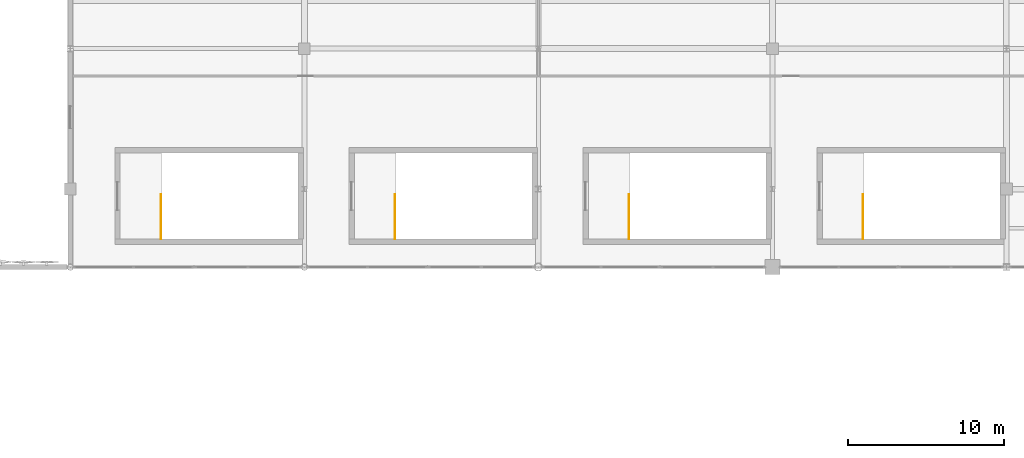
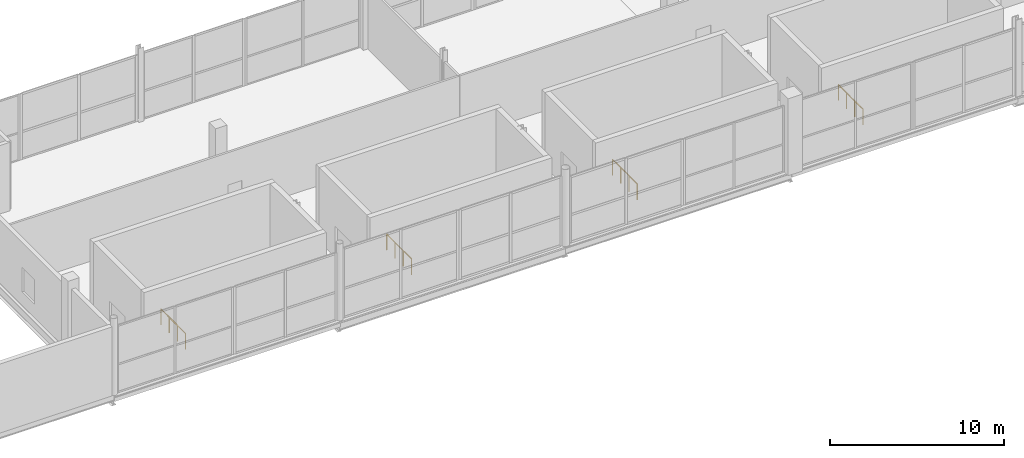
# One storey, part 108 of 119: 4 railings.
"""IFC4 building model written with IfcOpenShell, lengths in metres."""

from ifc_helpers import new_model, si_unit, direction, frame, origin, origin_2d, place, context, subcontext, project, spatial, circle, extrude, material, type_object, element, save


model = new_model("IFC4")

# Units and contexts
model_context = context("Model", 3, precision=1e-05, world=origin(), true_north=direction((0.0, 1.0)))
body_context = subcontext(model_context, "Body", "Model", "MODEL_VIEW")
ifc_project = project(units=[si_unit("LENGTHUNIT", "METRE"), si_unit("AREAUNIT", "SQUARE_METRE"), si_unit("VOLUMEUNIT", "CUBIC_METRE"), si_unit("PLANEANGLEUNIT", "RADIAN"), si_unit("MASSUNIT", "GRAM", prefix="KILO")], contexts=[model_context])

# Site, building, storey
site_placement = place(None, origin())
site = spatial("IfcSite", under=ifc_project, at=site_placement, CompositionType="ELEMENT")
building_placement = place(site_placement, origin())
building = spatial("IfcBuilding", under=site, at=building_placement, Name="Qamarlyn Nura Convention Centre", CompositionType="ELEMENT")
storey_placement = place(building_placement, frame((0.0, 0.0, 5.39990234375)))
storey = spatial("IfcBuildingStorey", under=building, at=storey_placement, Name="L01", CompositionType="ELEMENT", Elevation=5.39990234375)

# Railings
ifc_material = material(Name="Marine Grade 316 stainless steel", Category="steel")
railing_type = type_object("IfcRailingType", Name="GRD-STAIR-112", PredefinedType="BALUSTRADE", material=ifc_material)
for number, where, name in (
    (1, (20.81005859375, 104.800048828125, 0.0), "L01 ST-01 top well guard 1"),
    (2, (35.81005859375, 104.800048828125, 0.0), "L01 ST-02 top well guard 1"),
    (3, (50.81005859375, 104.800048828125, 0.0), "L01 ST-03 top well guard 1"),
    (4, (65.81005859375, 104.800048828125, 0.0), "L01 ST-04 top well guard 1"),
):
    element("IfcRailing", number, at=place(storey_placement, frame(where)), inside=storey, type_object=railing_type, Name=name, PredefinedType="BALUSTRADE", context=body_context, shape_type="SweptSolid", body=[
        extrude(circle(Radius=0.02392578125, at=origin_2d()), frame((0.0, 0.0, 1.09619140625), z_axis=(0.0, 1.0, 0.0), x_axis=(-1.0, 0.0, 0.0)), (0.0, 0.0, 1.0), 2.83984375),
        extrude(circle(Radius=0.02099609375, at=origin_2d()), origin(), (0.0, 0.0, 1.0), 1.070068359375),
        extrude(circle(Radius=0.02099609375, at=origin_2d()), frame((0.0, 0.946533203125, 0.0)), (0.0, 0.0, 1.0), 1.070068359375),
        extrude(circle(Radius=0.02099609375, at=origin_2d()), frame((0.0, 1.893310546875, 0.0)), (0.0, 0.0, 1.0), 1.070068359375),
        extrude(circle(Radius=0.02099609375, at=origin_2d()), frame((0.0, 2.83984375, 0.0)), (0.0, 0.0, 1.0), 1.070068359375),
    ])

save(model, "model.ifc")
